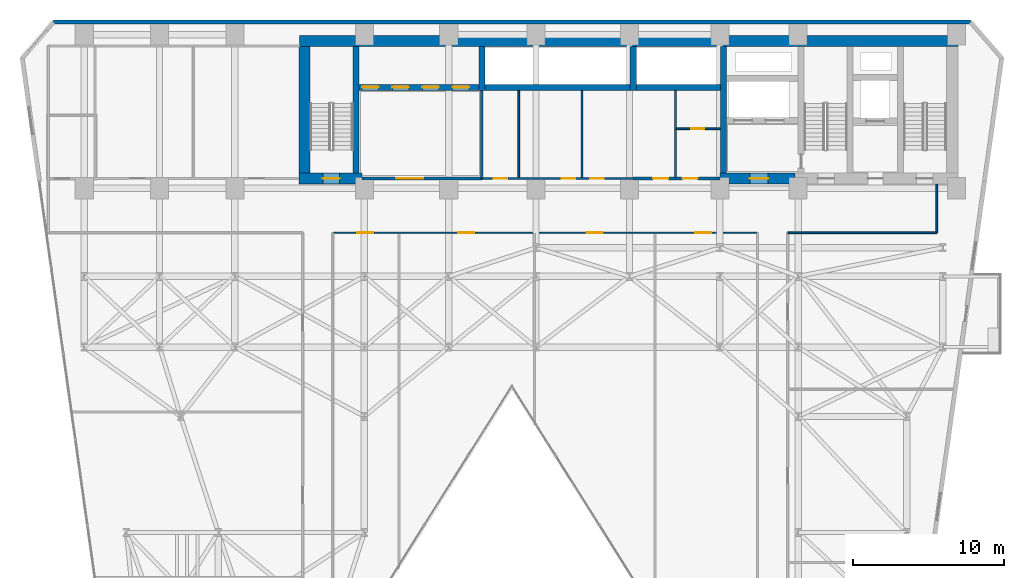
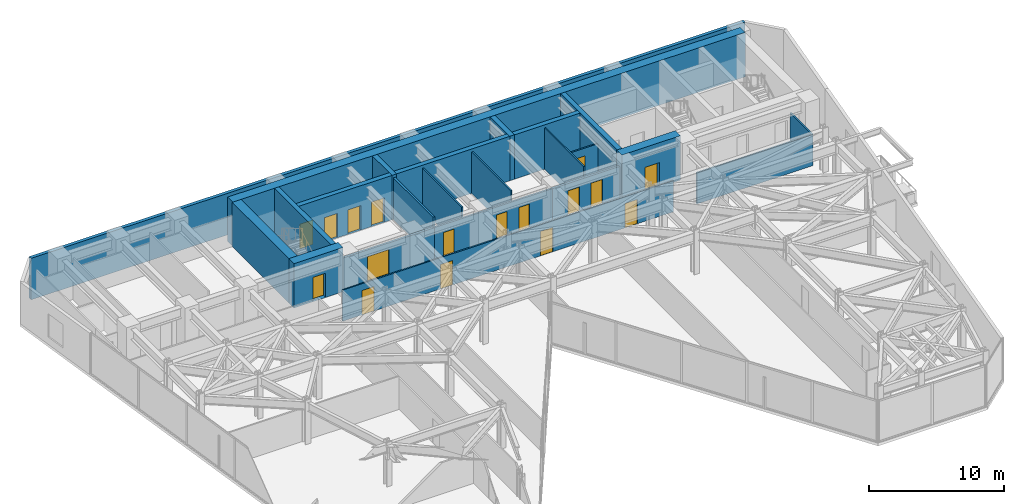
# One storey, part 20 of 24: 23 walls, 17 doors, 17 openings.
"""IFC4 building model written with IfcOpenShell, lengths in metres."""

from ifc_helpers import new_model, si_unit, direction, frame, frame_2d, origin, place, context, subcontext, project, spatial, rectangle, extrude, material, layer, layer_set, type_object, element, fill, save


model = new_model("IFC4")

# Units and contexts
model_context = context("Model", 3, precision=1e-05, world=origin(), true_north=direction((0.0, 1.0)))
body_context = subcontext(model_context, "Body", "Model", "MODEL_VIEW")
ifc_project = project(units=[si_unit("LENGTHUNIT", "METRE"), si_unit("AREAUNIT", "SQUARE_METRE"), si_unit("VOLUMEUNIT", "CUBIC_METRE"), si_unit("PLANEANGLEUNIT", "RADIAN"), si_unit("MASSUNIT", "GRAM", prefix="KILO")], contexts=[model_context])

# Site, building, storey
site_placement = place(None, origin())
site = spatial("IfcSite", under=ifc_project, at=site_placement, CompositionType="ELEMENT")
building_placement = place(site_placement, origin())
building = spatial("IfcBuilding", under=site, at=building_placement, Name="Kravanh Interchange Tower", CompositionType="ELEMENT")
storey_placement = place(building_placement, frame((0.0, 0.0, 45.5)))
storey = spatial("IfcBuildingStorey", under=building, at=storey_placement, Name="L10", CompositionType="ELEMENT", Elevation=45.5)

# Wall
ifc_material_1 = material(Name="Double Acoustic Gypsum Board and Mineral Wool")
ifc_layer_1 = layer(ifc_material_1, 0.1201171875)
ifc_layer_set_1 = layer_set([ifc_layer_1], Name="Acoustic Office Drywall Partition 120mm")
wall_type_1 = type_object("IfcWallType", Name="Acoustic Office Drywall Partition 120mm", PredefinedType="PARTITIONING", material=ifc_layer_set_1)
wall_1_placement = place(storey_placement, frame((47.85009765625, 38.068115234375, 0.0), z_axis=(0.0, 0.0, 1.0), x_axis=(0.0, 1.0, 0.0)))
element("IfcWall", 1, at=wall_1_placement, inside=storey, type_object=wall_type_1, Name="L10 Interior Partition 2", PredefinedType="PARTITIONING", context=body_context, shape_type="SweptSolid", body=[
    extrude(rectangle(XDim=5.77392578125, YDim=0.1201171875, at=frame_2d((2.886962890625, 0.0))), origin(), (0.0, 0.0, 1.0), 3.739990234375),
])

# Wall, opening, door
wall_2_placement = place(storey_placement, frame((47.91796875, 41.300048828125, 0.0), z_axis=(0.0, 0.0, 1.0), x_axis=(1.0, 0.0, 0.0)))
wall_2 = element("IfcWall", 2, at=wall_2_placement, inside=storey, type_object=wall_type_1, Name="L10 Interior Partition 3", PredefinedType="PARTITIONING", context=body_context, shape_type="SweptSolid", body=[
    extrude(rectangle(XDim=2.924072265625, YDim=0.1201171875, at=frame_2d((1.4619140625, 0.0))), origin(), (0.0, 0.0, 1.0), 2.81298828125),
])
opening_1_placement = place(wall_2_placement, frame((0.9912109375, 0.0, 0.0)))
opening_1 = element("IfcOpeningElement", 3, at=opening_1_placement, cuts=wall_2, Name="Opening D-85", PredefinedType="OPENING", context=body_context, shape_type="SweptSolid", body=[
    extrude(rectangle(XDim=0.85009765625, YDim=2.10009765625, at=frame_2d((0.425048828125, 1.050048828125))), frame((0.0, 0.070068359375, 0.0), z_axis=(0.0, -1.0, 0.0), x_axis=(1.0, 0.0, 0.0)), (0.0, 0.0, 1.0), 0.14013671875),
])
ifc_material_2 = material(Name="Engineered Teak Veneer Timber", Category="wood")
door_type_1 = type_object("IfcDoorType", Name="En-Suite Timber Door 850x2100", OperationType="NOTDEFINED", PredefinedType="DOOR", material=ifc_material_2)
door_1_placement = place(opening_1_placement, origin())
door_1 = element("IfcDoor", 4, at=door_1_placement, inside=storey, type_object=door_type_1, Name="L10 Core Supply Inner Door", OperationType="SINGLE_SWING_RIGHT", OverallHeight=2.10009765625, OverallWidth=0.85009765625, PredefinedType="DOOR", context=body_context, shape_type="SweptSolid", body=[
    extrude(rectangle(XDim=0.85009765625, YDim=2.10009765625, at=frame_2d((0.425048828125, 1.050048828125))), frame((0.0, 0.02490234375, 0.0), z_axis=(0.0, -1.0, 0.0), x_axis=(1.0, 0.0, 0.0)), (0.0, 0.0, 1.0), 0.050048828125),
])
fill(opening_1, door_1)

# Walls
for number, where, z_axis, x_axis, name in (
    (5, (37.449951171875, 38.068115234375, 0.0), (0.0, 0.0, 1.0), (0.0, 1.0, 0.0), "L10 Interior Partition 7"),
    (6, (41.64990234375, 38.068115234375, 0.0), (0.0, 0.0, 1.0), (0.0, 1.0, 0.0), "L10 Interior Partition 8"),
):
    element("IfcWall", number, at=place(storey_placement, frame(where, z_axis=z_axis, x_axis=x_axis)), inside=storey, type_object=wall_type_1, Name=name, PredefinedType="PARTITIONING", context=body_context, shape_type="SweptSolid", body=[
        extrude(rectangle(XDim=5.77392578125, YDim=0.1201171875, at=frame_2d((2.886962890625, 0.0))), origin(), (0.0, 0.0, 1.0), 3.739990234375),
    ])

# Wall, openings, doors
wall_3_placement = place(storey_placement, frame((25.10009765625, 34.39990234375, 0.0), z_axis=(0.0, 0.0, 1.0), x_axis=(1.0, 0.0, 0.0)))
wall_3 = element("IfcWall", 7, at=wall_3_placement, inside=storey, type_object=wall_type_1, Name="L10 Interior Partition 16", PredefinedType="PARTITIONING", context=body_context, shape_type="SweptSolid", body=[
    extrude(rectangle(XDim=28.199951171875, YDim=0.1201171875, at=frame_2d((14.10009765625, 0.0))), origin(), (0.0, 0.0, 1.0), 2.81298828125),
])
opening_2_placement = place(wall_3_placement, frame((1.63427734375, 0.0, 0.0)))
opening_2 = element("IfcOpeningElement", 8, at=opening_2_placement, cuts=wall_3, Name="Opening D-105", PredefinedType="OPENING", context=body_context, shape_type="SweptSolid", body=[
    extrude(rectangle(XDim=1.050048828125, YDim=2.199951171875, at=frame_2d((0.52490234375, 1.10009765625))), frame((0.0, 0.070068359375, 0.0), z_axis=(0.0, -1.0, 0.0), x_axis=(1.0, 0.0, 0.0)), (0.0, 0.0, 1.0), 0.14013671875),
])
opening_3_placement = place(wall_3_placement, frame((8.3349609375, 0.0, 0.0)))
opening_3 = element("IfcOpeningElement", 9, at=opening_3_placement, cuts=wall_3, Name="Opening D-105", PredefinedType="OPENING", context=body_context, shape_type="SweptSolid", body=[
    extrude(rectangle(XDim=1.050048828125, YDim=2.199951171875, at=frame_2d((0.52490234375, 1.10009765625))), frame((0.0, 0.070068359375, 0.0), z_axis=(0.0, -1.0, 0.0), x_axis=(1.0, 0.0, 0.0)), (0.0, 0.0, 1.0), 0.14013671875),
])
opening_4_placement = place(wall_3_placement, frame((16.875, 0.0, 0.0)))
opening_4 = element("IfcOpeningElement", 10, at=opening_4_placement, cuts=wall_3, Name="Opening D-105", PredefinedType="OPENING", context=body_context, shape_type="SweptSolid", body=[
    extrude(rectangle(XDim=1.050048828125, YDim=2.199951171875, at=frame_2d((0.52490234375, 1.10009765625))), frame((0.0, 0.070068359375, 0.0), z_axis=(0.0, -1.0, 0.0), x_axis=(1.0, 0.0, 0.0)), (0.0, 0.0, 1.0), 0.14013671875),
])
opening_5_placement = place(wall_3_placement, frame((24.072998046875, 0.0, 0.0)))
opening_5 = element("IfcOpeningElement", 11, at=opening_5_placement, cuts=wall_3, Name="Opening D-105", PredefinedType="OPENING", context=body_context, shape_type="SweptSolid", body=[
    extrude(rectangle(XDim=1.050048828125, YDim=2.199951171875, at=frame_2d((0.52490234375, 1.10009765625))), frame((0.0, 0.070068359375, 0.0), z_axis=(0.0, -1.0, 0.0), x_axis=(1.0, 0.0, 0.0)), (0.0, 0.0, 1.0), 0.14013671875),
])
ifc_material_3 = material(Name="Acoustic Glazed Oak and Aluminium", Category="aluminium")
door_type_2 = type_object("IfcDoorType", Name="Office Workplace Door 1050x2200", OperationType="NOTDEFINED", PredefinedType="DOOR", material=ifc_material_3)
door_2_placement = place(opening_2_placement, origin())
door_2 = element("IfcDoor", 12, at=door_2_placement, inside=storey, type_object=door_type_2, Name="L10 Central Collaboration Lounge Door", OperationType="SINGLE_SWING_LEFT", OverallHeight=2.199951171875, OverallWidth=1.050048828125, PredefinedType="DOOR", context=body_context, shape_type="SweptSolid", body=[
    extrude(rectangle(XDim=1.050048828125, YDim=2.199951171875, at=frame_2d((0.52490234375, 1.10009765625))), frame((0.0, 0.02490234375, 0.0), z_axis=(0.0, -1.0, 0.0), x_axis=(1.0, 0.0, 0.0)), (0.0, 0.0, 1.0), 0.050048828125),
])
fill(opening_2, door_2)
door_3_placement = place(opening_3_placement, origin())
door_3 = element("IfcDoor", 13, at=door_3_placement, inside=storey, type_object=door_type_2, Name="L10 Team Briefing Meeting Door", OperationType="SINGLE_SWING_RIGHT", OverallHeight=2.199951171875, OverallWidth=1.050048828125, PredefinedType="DOOR", context=body_context, shape_type="SweptSolid", body=[
    extrude(rectangle(XDim=1.050048828125, YDim=2.199951171875, at=frame_2d((0.52490234375, 1.10009765625))), frame((0.0, 0.02490234375, 0.0), z_axis=(0.0, -1.0, 0.0), x_axis=(1.0, 0.0, 0.0)), (0.0, 0.0, 1.0), 0.050048828125),
])
fill(opening_3, door_3)
door_4_placement = place(opening_4_placement, origin())
door_4 = element("IfcDoor", 14, at=door_4_placement, inside=storey, type_object=door_type_2, Name="L10 Tea Pantry Kitchenette Door", OperationType="SINGLE_SWING_LEFT", OverallHeight=2.199951171875, OverallWidth=1.050048828125, PredefinedType="DOOR", context=body_context, shape_type="SweptSolid", body=[
    extrude(rectangle(XDim=1.050048828125, YDim=2.199951171875, at=frame_2d((0.52490234375, 1.10009765625))), frame((0.0, 0.02490234375, 0.0), z_axis=(0.0, -1.0, 0.0), x_axis=(1.0, 0.0, 0.0)), (0.0, 0.0, 1.0), 0.050048828125),
])
fill(opening_4, door_4)
door_5_placement = place(opening_5_placement, origin())
door_5 = element("IfcDoor", 15, at=door_5_placement, inside=storey, type_object=door_type_2, Name="L10 Operations Office Door", OperationType="SINGLE_SWING_RIGHT", OverallHeight=2.199951171875, OverallWidth=1.050048828125, PredefinedType="DOOR", context=body_context, shape_type="SweptSolid", body=[
    extrude(rectangle(XDim=1.050048828125, YDim=2.199951171875, at=frame_2d((0.52490234375, 1.10009765625))), frame((0.0, 0.02490234375, 0.0), z_axis=(0.0, -1.0, 0.0), x_axis=(1.0, 0.0, 0.0)), (0.0, 0.0, 1.0), 0.050048828125),
])
fill(opening_5, door_5)

# Walls
wall_4_placement = place(storey_placement, frame((55.300048828125, 34.39990234375, 0.0), z_axis=(0.0, 0.0, 1.0), x_axis=(1.0, 0.0, 0.0)))
element("IfcWall", 16, at=wall_4_placement, inside=storey, type_object=wall_type_1, Name="L10 Interior Partition 17", PredefinedType="PARTITIONING", context=body_context, shape_type="SweptSolid", body=[
    extrude(rectangle(XDim=9.89990234375, YDim=0.1201171875, at=frame_2d((4.949951171875, 0.0))), origin(), (0.0, 0.0, 1.0), 2.81298828125),
])
wall_5_placement = place(storey_placement, frame((65.199951171875, 34.39990234375, 0.0), z_axis=(0.0, 0.0, 1.0), x_axis=(0.0, 1.0, 0.0)))
element("IfcWall", 17, at=wall_5_placement, inside=storey, type_object=wall_type_1, Name="L10 Interior Partition 19", PredefinedType="PARTITIONING", context=body_context, shape_type="SweptSolid", body=[
    extrude(rectangle(XDim=3.217041015625, YDim=0.1201171875, at=frame_2d((1.6083984375, 0.0))), origin(), (0.0, 0.0, 1.0), 2.81298828125),
])
ifc_material_4 = material(Name="Concrete C80/95", Category="concrete")
ifc_layer_2 = layer(ifc_material_4, 0.39990234375)
ifc_layer_set_2 = layer_set([ifc_layer_2], Name="Core Shear Wall Concrete C80/95 400mm")
wall_type_2 = type_object("IfcWallType", Name="Core Shear Wall Concrete C80/95 400mm", PredefinedType="SHEAR", material=ifc_layer_set_2)
wall_6_placement = place(storey_placement, frame((51.050048828125, 38.375, 0.0), z_axis=(0.0, 0.0, 1.0), x_axis=(0.0, 1.0, 0.0)))
element("IfcWall", 18, at=wall_6_placement, inside=storey, type_object=wall_type_2, Name="L10 Firefighting Lobby West Wall", PredefinedType="SHEAR", context=body_context, shape_type="SweptSolid", body=[
    extrude(rectangle(XDim=8.375, YDim=0.39990234375, at=frame_2d((4.1875, 0.0))), origin(), (0.0, 0.0, 1.0), 4.0),
])
wall_7_placement = place(storey_placement, frame((45.25, 44.050048828125, 0.0), z_axis=(0.0, 0.0, 1.0), x_axis=(1.0, 0.0, 0.0)))
element("IfcWall", 19, at=wall_7_placement, inside=storey, type_object=wall_type_2, Name="L10 High-Rise Lift Shaft South Wall", PredefinedType="SHEAR", context=body_context, shape_type="SweptSolid", body=[
    extrude(rectangle(XDim=5.60009765625, YDim=0.39990234375, at=frame_2d((2.800048828125, 0.0))), origin(), (0.0, 0.0, 1.0), 4.0),
])
wall_8_placement = place(storey_placement, frame((45.050048828125, 43.85009765625, 0.0), z_axis=(0.0, 0.0, 1.0), x_axis=(0.0, 1.0, 0.0)))
element("IfcWall", 20, at=wall_8_placement, inside=storey, type_object=wall_type_2, Name="L10 High-Rise Lift Shaft West Wall", PredefinedType="SHEAR", context=body_context, shape_type="SweptSolid", body=[
    extrude(rectangle(XDim=2.89990234375, YDim=0.39990234375, at=frame_2d((1.449951171875, 0.0))), origin(), (0.0, 0.0, 1.0), 4.0),
])
wall_9_placement = place(storey_placement, frame((35.199951171875, 44.050048828125, 0.0), z_axis=(0.0, 0.0, 1.0), x_axis=(1.0, 0.0, 0.0)))
element("IfcWall", 21, at=wall_9_placement, inside=storey, type_object=wall_type_2, Name="L10 Mid-Rise Lift Shaft South Wall", PredefinedType="SHEAR", context=body_context, shape_type="SweptSolid", body=[
    extrude(rectangle(XDim=9.650146484375, YDim=0.39990234375, at=frame_2d((4.8251953125, 0.0))), origin(), (0.0, 0.0, 1.0), 4.0),
])
wall_10_placement = place(storey_placement, frame((35.0, 43.85009765625, 0.0), z_axis=(0.0, 0.0, 1.0), x_axis=(0.0, 1.0, 0.0)))
element("IfcWall", 22, at=wall_10_placement, inside=storey, type_object=wall_type_2, Name="L10 Mid-Rise Lift Shaft West Wall", PredefinedType="SHEAR", context=body_context, shape_type="SweptSolid", body=[
    extrude(rectangle(XDim=2.89990234375, YDim=0.39990234375, at=frame_2d((1.449951171875, 0.0))), origin(), (0.0, 0.0, 1.0), 4.0),
])

# Wall, openings, doors
wall_11_placement = place(storey_placement, frame((26.85009765625, 44.050048828125, 0.0), z_axis=(0.0, 0.0, 1.0), x_axis=(1.0, 0.0, 0.0)))
wall_11 = element("IfcWall", 23, at=wall_11_placement, inside=storey, type_object=wall_type_2, Name="L10 Low-Rise Lift Shaft South Wall", PredefinedType="SHEAR", context=body_context, shape_type="SweptSolid", body=[
    extrude(rectangle(XDim=7.949951171875, YDim=0.39990234375, at=frame_2d((3.97509765625, 0.0))), origin(), (0.0, 0.0, 1.0), 4.0),
])
opening_6_placement = place(wall_11_placement, frame((0.199951171875, 0.0, 0.0)))
opening_6 = element("IfcOpeningElement", 24, at=opening_6_placement, cuts=wall_11, Name="Opening LD01", PredefinedType="OPENING", context=body_context, shape_type="SweptSolid", body=[
    extrude(rectangle(XDim=1.10009765625, YDim=2.199951171875, at=frame_2d((0.550048828125, 1.10009765625))), frame((0.0, 0.2099609375, 0.0), z_axis=(0.0, -1.0, 0.0), x_axis=(1.0, 0.0, 0.0)), (0.0, 0.0, 1.0), 0.419921875),
])
opening_7_placement = place(wall_11_placement, frame((2.199951171875, 0.0, 0.0)))
opening_7 = element("IfcOpeningElement", 25, at=opening_7_placement, cuts=wall_11, Name="Opening LD01", PredefinedType="OPENING", context=body_context, shape_type="SweptSolid", body=[
    extrude(rectangle(XDim=1.10009765625, YDim=2.199951171875, at=frame_2d((0.550048828125, 1.10009765625))), frame((0.0, 0.2099609375, 0.0), z_axis=(0.0, -1.0, 0.0), x_axis=(1.0, 0.0, 0.0)), (0.0, 0.0, 1.0), 0.419921875),
])
opening_8_placement = place(wall_11_placement, frame((4.199951171875, 0.0, 0.0)))
opening_8 = element("IfcOpeningElement", 26, at=opening_8_placement, cuts=wall_11, Name="Opening LD01", PredefinedType="OPENING", context=body_context, shape_type="SweptSolid", body=[
    extrude(rectangle(XDim=1.10009765625, YDim=2.199951171875, at=frame_2d((0.550048828125, 1.10009765625))), frame((0.0, 0.2099609375, 0.0), z_axis=(0.0, -1.0, 0.0), x_axis=(1.0, 0.0, 0.0)), (0.0, 0.0, 1.0), 0.419921875),
])
opening_9_placement = place(wall_11_placement, frame((6.199951171875, 0.0, 0.0)))
opening_9 = element("IfcOpeningElement", 27, at=opening_9_placement, cuts=wall_11, Name="Opening LD01", PredefinedType="OPENING", context=body_context, shape_type="SweptSolid", body=[
    extrude(rectangle(XDim=1.10009765625, YDim=2.199951171875, at=frame_2d((0.550048828125, 1.10009765625))), frame((0.0, 0.2099609375, 0.0), z_axis=(0.0, -1.0, 0.0), x_axis=(1.0, 0.0, 0.0)), (0.0, 0.0, 1.0), 0.419921875),
])
ifc_material_5 = material(Name="Stainless Steel 304", Category="steel")
door_type_3 = type_object("IfcDoorType", Name="Passenger Lift Sliding Landing Door 1100x2200", OperationType="DOUBLE_DOOR_SLIDING", PredefinedType="DOOR", material=ifc_material_5)
door_6_placement = place(opening_6_placement, origin())
door_6 = element("IfcDoor", 28, at=door_6_placement, inside=storey, type_object=door_type_3, Name="L10 Lift LP-L1 Landing Door", OperationType="DOUBLE_DOOR_SLIDING", OverallHeight=2.199951171875, OverallWidth=1.10009765625, PredefinedType="DOOR", context=body_context, shape_type="SweptSolid", body=[
    extrude(rectangle(XDim=1.10009765625, YDim=2.199951171875, at=frame_2d((0.550048828125, 1.10009765625))), frame((0.0, 0.02490234375, 0.0), z_axis=(0.0, -1.0, 0.0), x_axis=(1.0, 0.0, 0.0)), (0.0, 0.0, 1.0), 0.050048828125),
])
fill(opening_6, door_6)
door_7_placement = place(opening_7_placement, origin())
door_7 = element("IfcDoor", 29, at=door_7_placement, inside=storey, type_object=door_type_3, Name="L10 Lift LP-L2 Landing Door", OperationType="DOUBLE_DOOR_SLIDING", OverallHeight=2.199951171875, OverallWidth=1.10009765625, PredefinedType="DOOR", context=body_context, shape_type="SweptSolid", body=[
    extrude(rectangle(XDim=1.10009765625, YDim=2.199951171875, at=frame_2d((0.550048828125, 1.10009765625))), frame((0.0, 0.02490234375, 0.0), z_axis=(0.0, -1.0, 0.0), x_axis=(1.0, 0.0, 0.0)), (0.0, 0.0, 1.0), 0.050048828125),
])
fill(opening_7, door_7)
door_8_placement = place(opening_8_placement, origin())
door_8 = element("IfcDoor", 30, at=door_8_placement, inside=storey, type_object=door_type_3, Name="L10 Lift LP-L3 Landing Door", OperationType="DOUBLE_DOOR_SLIDING", OverallHeight=2.199951171875, OverallWidth=1.10009765625, PredefinedType="DOOR", context=body_context, shape_type="SweptSolid", body=[
    extrude(rectangle(XDim=1.10009765625, YDim=2.199951171875, at=frame_2d((0.550048828125, 1.10009765625))), frame((0.0, 0.02490234375, 0.0), z_axis=(0.0, -1.0, 0.0), x_axis=(1.0, 0.0, 0.0)), (0.0, 0.0, 1.0), 0.050048828125),
])
fill(opening_8, door_8)
door_9_placement = place(opening_9_placement, origin())
door_9 = element("IfcDoor", 31, at=door_9_placement, inside=storey, type_object=door_type_3, Name="L10 Lift LP-L4 Landing Door", OperationType="DOUBLE_DOOR_SLIDING", OverallHeight=2.199951171875, OverallWidth=1.10009765625, PredefinedType="DOOR", context=body_context, shape_type="SweptSolid", body=[
    extrude(rectangle(XDim=1.10009765625, YDim=2.199951171875, at=frame_2d((0.550048828125, 1.10009765625))), frame((0.0, 0.02490234375, 0.0), z_axis=(0.0, -1.0, 0.0), x_axis=(1.0, 0.0, 0.0)), (0.0, 0.0, 1.0), 0.050048828125),
])
fill(opening_9, door_9)

# Walls
wall_12_placement = place(storey_placement, frame((26.64990234375, 38.375, 0.0), z_axis=(0.0, 0.0, 1.0), x_axis=(0.0, 1.0, 0.0)))
element("IfcWall", 32, at=wall_12_placement, inside=storey, type_object=wall_type_2, Name="L10 Stair ST3 East Shear Wall", PredefinedType="SHEAR", context=body_context, shape_type="SweptSolid", body=[
    extrude(rectangle(XDim=8.375, YDim=0.39990234375, at=frame_2d((4.1875, 0.0))), origin(), (0.0, 0.0, 1.0), 4.0),
])
ifc_material_6 = material(Name="Concrete C80/95", Category="concrete")
ifc_layer_3 = layer(ifc_material_6, 0.75)
ifc_layer_set_3 = layer_set([ifc_layer_3], Name="Core Shear Wall Concrete C80/95 750mm")
wall_type_3 = type_object("IfcWallType", Name="Core Shear Wall Concrete C80/95 750mm", PredefinedType="SHEAR", material=ifc_layer_set_3)
wall_13_placement = place(storey_placement, frame((22.89990234375, 47.125, 0.0), z_axis=(0.0, 0.0, 1.0), x_axis=(1.0, 0.0, 0.0)))
element("IfcWall", 33, at=wall_13_placement, inside=storey, type_object=wall_type_3, Name="L10 North Core Shear Wall", PredefinedType="SHEAR", context=body_context, shape_type="SweptSolid", body=[
    extrude(rectangle(XDim=43.7001953125, YDim=0.75, at=frame_2d((21.85009765625, 0.0))), origin(), (0.0, 0.0, 1.0), 4.0),
])

# Wall, opening, door
wall_14_placement = place(storey_placement, frame((50.800048828125, 38.0, 0.0), z_axis=(0.0, 0.0, 1.0), x_axis=(1.0, 0.0, 0.0)))
wall_14 = element("IfcWall", 34, at=wall_14_placement, inside=storey, type_object=wall_type_3, Name="L10 Firefighting Lobby South Shear Wall", PredefinedType="SHEAR", context=body_context, shape_type="SweptSolid", body=[
    extrude(rectangle(XDim=5.0, YDim=0.75, at=frame_2d((2.5, 0.0))), origin(), (0.0, 0.0, 1.0), 4.0),
])
opening_10_placement = place(wall_14_placement, frame((2.0, 0.0, 0.0)))
opening_10 = element("IfcOpeningElement", 35, at=opening_10_placement, cuts=wall_14, Name="Opening D-FSAE-120", PredefinedType="OPENING", context=body_context, shape_type="SweptSolid", body=[
    extrude(rectangle(XDim=1.199951171875, YDim=2.199951171875, at=frame_2d((0.60009765625, 1.10009765625))), frame((0.0, 0.385009765625, 0.0), z_axis=(0.0, -1.0, 0.0), x_axis=(1.0, 0.0, 0.0)), (0.0, 0.0, 1.0), 0.77001953125),
])
ifc_material_7 = material(Name="Structural Steel S355", Category="steel")
door_type_4 = type_object("IfcDoorType", Name="Fire-Rated Refuge and FSAE Door 1200x2200", OperationType="NOTDEFINED", PredefinedType="DOOR", material=ifc_material_7)
door_10_placement = place(opening_10_placement, origin())
door_10 = element("IfcDoor", 36, at=door_10_placement, inside=storey, type_object=door_type_4, Name="L10 Firefighting Lobby Corridor Door", OperationType="SINGLE_SWING_RIGHT", OverallHeight=2.199951171875, OverallWidth=1.199951171875, PredefinedType="DOOR", context=body_context, shape_type="SweptSolid", body=[
    extrude(rectangle(XDim=1.199951171875, YDim=2.199951171875, at=frame_2d((0.60009765625, 1.10009765625))), frame((0.0, 0.02490234375, 0.0), z_axis=(0.0, -1.0, 0.0), x_axis=(1.0, 0.0, 0.0)), (0.0, 0.0, 1.0), 0.050048828125),
])
fill(opening_10, door_10)

wall_15_placement = place(storey_placement, frame((22.85009765625, 38.0, 0.0), z_axis=(0.0, 0.0, 1.0), x_axis=(1.0, 0.0, 0.0)))
wall_15 = element("IfcWall", 37, at=wall_15_placement, inside=storey, type_object=wall_type_3, Name="L10 Stair ST3 South Shear Wall", PredefinedType="SHEAR", context=body_context, shape_type="SweptSolid", body=[
    extrude(rectangle(XDim=4.199951171875, YDim=0.75, at=frame_2d((2.10009765625, 0.0))), origin(), (0.0, 0.0, 1.0), 4.0),
])
opening_11_placement = place(wall_15_placement, frame((1.60009765625, 0.0, 0.0)))
opening_11 = element("IfcOpeningElement", 38, at=opening_11_placement, cuts=wall_15, Name="Opening D-STAIR-110", PredefinedType="OPENING", context=body_context, shape_type="SweptSolid", body=[
    extrude(rectangle(XDim=1.10009765625, YDim=2.199951171875, at=frame_2d((0.550048828125, 1.10009765625))), frame((0.0, 0.385009765625, 0.0), z_axis=(0.0, -1.0, 0.0), x_axis=(1.0, 0.0, 0.0)), (0.0, 0.0, 1.0), 0.77001953125),
])
ifc_material_8 = material(Name="Structural Steel S355", Category="steel")
door_type_5 = type_object("IfcDoorType", Name="Fire-Rated Exit Stair Door 1100x2200", OperationType="NOTDEFINED", PredefinedType="DOOR", material=ifc_material_8)
door_11_placement = place(opening_11_placement, origin())
door_11 = element("IfcDoor", 39, at=door_11_placement, inside=storey, type_object=door_type_5, Name="L10 Exit Stair ST3 Door", OperationType="SINGLE_SWING_RIGHT", OverallHeight=2.199951171875, OverallWidth=1.10009765625, PredefinedType="DOOR", context=body_context, shape_type="SweptSolid", body=[
    extrude(rectangle(XDim=1.10009765625, YDim=2.199951171875, at=frame_2d((0.550048828125, 1.10009765625))), frame((0.0, 0.02490234375, 0.0), z_axis=(0.0, -1.0, 0.0), x_axis=(1.0, 0.0, 0.0)), (0.0, 0.0, 1.0), 0.050048828125),
])
fill(opening_11, door_11)

# Walls
wall_16_placement = place(storey_placement, frame((23.22509765625, 38.375, 0.0), z_axis=(0.0, 0.0, 1.0), x_axis=(0.0, 1.0, 0.0)))
element("IfcWall", 40, at=wall_16_placement, inside=storey, type_object=wall_type_3, Name="L10 Stair ST3 West Shear Wall", PredefinedType="SHEAR", context=body_context, shape_type="SweptSolid", body=[
    extrude(rectangle(XDim=8.375, YDim=0.75, at=frame_2d((4.1875, 0.0))), origin(), (0.0, 0.0, 1.0), 4.0),
])
ifc_material_9 = material(Name="Insulated Precast Concrete C40/50 with Bronze Cladding", Category="concrete")
ifc_layer_4 = layer(ifc_material_9, 0.280029296875)
ifc_layer_set_4 = layer_set([ifc_layer_4], Name="Exterior Insulated Concrete C40/50 Bronze Spandrel Wall 280mm")
wall_type_4 = type_object("IfcWallType", Name="Exterior Insulated Concrete C40/50 Bronze Spandrel Wall 280mm", PredefinedType="STANDARD", material=ifc_layer_set_4)
wall_17_placement = place(storey_placement, frame((6.5546875, 48.3798828125, 0.0), z_axis=(0.0, 0.0, 1.0), x_axis=(1.0, 0.0, 0.0)))
element("IfcWall", 41, at=wall_17_placement, inside=storey, type_object=wall_type_4, Name="L10 Exterior Wall 3", PredefinedType="STANDARD", context=body_context, shape_type="SweptSolid", body=[
    extrude(rectangle(XDim=60.890625, YDim=0.280029296875, at=frame_2d((30.4453125, 0.0))), origin(), (0.0, 0.0, 1.0), 3.739990234375),
])

# Wall, openings, doors
ifc_material_10 = material(Name="Autoclaved Aerated Concrete C30/37 Blockwork", Category="masonry")
ifc_layer_5 = layer(ifc_material_10, 0.179931640625)
ifc_layer_set_5 = layer_set([ifc_layer_5], Name="Fire-Rated Lobby and Corridor Wall Concrete C30/37 180mm")
wall_type_5 = type_object("IfcWallType", Name="Fire-Rated Lobby and Corridor Wall Concrete C30/37 180mm", PredefinedType="STANDARD", material=ifc_layer_set_5)
wall_18_placement = place(storey_placement, frame((45.050048828125, 38.0, 0.0), z_axis=(0.0, 0.0, 1.0), x_axis=(1.0, 0.0, 0.0)))
wall_18 = element("IfcWall", 42, at=wall_18_placement, inside=storey, type_object=wall_type_5, Name="L10 Core South Enclosure 1", PredefinedType="STANDARD", context=body_context, shape_type="SweptSolid", body=[
    extrude(rectangle(XDim=5.75, YDim=0.179931640625, at=frame_2d((2.875, 0.0))), origin(), (0.0, 0.0, 1.0), 2.81298828125),
])
opening_12_placement = place(wall_18_placement, frame((1.324951171875, 0.0, 0.0)))
opening_12 = element("IfcOpeningElement", 43, at=opening_12_placement, cuts=wall_18, Name="Opening D-HOTEL-100", PredefinedType="OPENING", context=body_context, shape_type="SweptSolid", body=[
    extrude(rectangle(XDim=1.0, YDim=2.14990234375, at=frame_2d((0.5, 1.074951171875))), frame((0.0, 0.10009765625, 0.0), z_axis=(0.0, -1.0, 0.0), x_axis=(1.0, 0.0, 0.0)), (0.0, 0.0, 1.0), 0.199951171875),
])
opening_13_placement = place(wall_18_placement, frame((3.27490234375, 0.0, 0.0)))
opening_13 = element("IfcOpeningElement", 44, at=opening_13_placement, cuts=wall_18, Name="Opening D-HOTEL-100", PredefinedType="OPENING", context=body_context, shape_type="SweptSolid", body=[
    extrude(rectangle(XDim=1.0, YDim=2.14990234375, at=frame_2d((0.5, 1.074951171875))), frame((0.0, 0.10009765625, 0.0), z_axis=(0.0, -1.0, 0.0), x_axis=(1.0, 0.0, 0.0)), (0.0, 0.0, 1.0), 0.199951171875),
])
ifc_material_11 = material(Name="Fire-Rated Solid Timber Leaf", Category="wood")
door_type_6 = type_object("IfcDoorType", Name="Fire-Rated Suite Entrance Door 1000x2150", OperationType="NOTDEFINED", PredefinedType="DOOR", material=ifc_material_11)
door_12_placement = place(opening_12_placement, origin())
door_12 = element("IfcDoor", 45, at=door_12_placement, inside=storey, type_object=door_type_6, Name="L10 Core Metering Door", OperationType="SINGLE_SWING_RIGHT", OverallHeight=2.14990234375, OverallWidth=1.0, PredefinedType="DOOR", context=body_context, shape_type="SweptSolid", body=[
    extrude(rectangle(XDim=1.0, YDim=2.14990234375, at=frame_2d((0.5, 1.074951171875))), frame((0.0, 0.02490234375, 0.0), z_axis=(0.0, -1.0, 0.0), x_axis=(1.0, 0.0, 0.0)), (0.0, 0.0, 1.0), 0.050048828125),
])
fill(opening_12, door_12)
door_13_placement = place(opening_13_placement, origin())
door_13 = element("IfcDoor", 46, at=door_13_placement, inside=storey, type_object=door_type_6, Name="L10 Core Copy Room Door", OperationType="SINGLE_SWING_LEFT", OverallHeight=2.14990234375, OverallWidth=1.0, PredefinedType="DOOR", context=body_context, shape_type="SweptSolid", body=[
    extrude(rectangle(XDim=1.0, YDim=2.14990234375, at=frame_2d((0.5, 1.074951171875))), frame((0.0, 0.02490234375, 0.0), z_axis=(0.0, -1.0, 0.0), x_axis=(1.0, 0.0, 0.0)), (0.0, 0.0, 1.0), 0.050048828125),
])
fill(opening_13, door_13)

# Wall
wall_19_placement = place(storey_placement, frame((35.0, 38.0, 0.0), z_axis=(0.0, 0.0, 1.0), x_axis=(0.0, 1.0, 0.0)))
element("IfcWall", 47, at=wall_19_placement, inside=storey, type_object=wall_type_5, Name="L10 Low-Rise Lobby East Wall 4", PredefinedType="STANDARD", context=body_context, shape_type="SweptSolid", body=[
    extrude(rectangle(XDim=5.85009765625, YDim=0.179931640625, at=frame_2d((2.925048828125, 0.0))), origin(), (0.0, 0.0, 1.0), 3.739990234375),
])

# Wall, opening, door
wall_20_placement = place(storey_placement, frame((27.050048828125, 38.0, 0.0), z_axis=(0.0, 0.0, 1.0), x_axis=(1.0, 0.0, 0.0)))
wall_20 = element("IfcWall", 48, at=wall_20_placement, inside=storey, type_object=wall_type_5, Name="L10 Low-Rise Lobby South Wall 5", PredefinedType="STANDARD", context=body_context, shape_type="SweptSolid", body=[
    extrude(rectangle(XDim=7.949951171875, YDim=0.179931640625, at=frame_2d((3.97509765625, 0.0))), origin(), (0.0, 0.0, 1.0), 2.81298828125),
])
opening_14_placement = place(wall_20_placement, frame((2.25, 0.0, 0.0)))
opening_14 = element("IfcOpeningElement", 49, at=opening_14_placement, cuts=wall_20, Name="Opening DBL-180", PredefinedType="OPENING", context=body_context, shape_type="SweptSolid", body=[
    extrude(rectangle(XDim=1.800048828125, YDim=2.199951171875, at=frame_2d((0.89990234375, 1.10009765625))), frame((0.0, 0.10009765625, 0.0), z_axis=(0.0, -1.0, 0.0), x_axis=(1.0, 0.0, 0.0)), (0.0, 0.0, 1.0), 0.199951171875),
])
ifc_material_12 = material(Name="Structural Steel S355", Category="steel")
door_type_7 = type_object("IfcDoorType", Name="Lift Lobby Double Fire Door 1800x2200", OperationType="DOUBLE_DOOR_SINGLE_SWING", PredefinedType="DOOR", material=ifc_material_12)
door_14_placement = place(opening_14_placement, origin())
door_14 = element("IfcDoor", 50, at=door_14_placement, inside=storey, type_object=door_type_7, Name="L10 Low-Rise Lift Lobby Door", OperationType="DOUBLE_DOOR_SINGLE_SWING", OverallHeight=2.199951171875, OverallWidth=1.800048828125, PredefinedType="DOOR", context=body_context, shape_type="SweptSolid", body=[
    extrude(rectangle(XDim=1.800048828125, YDim=2.199951171875, at=frame_2d((0.89990234375, 1.10009765625))), frame((0.0, 0.02490234375, 0.0), z_axis=(0.0, -1.0, 0.0), x_axis=(1.0, 0.0, 0.0)), (0.0, 0.0, 1.0), 0.050048828125),
])
fill(opening_14, door_14)

# Wall, openings, doors
ifc_material_13 = material(Name="Twin Stud Acoustic Gypsum Board Wall")
ifc_layer_6 = layer(ifc_material_13, 0.14990234375)
ifc_layer_set_6 = layer_set([ifc_layer_6], Name="Medium-Duty Acoustic Partition 150mm")
wall_type_6 = type_object("IfcWallType", Name="Medium-Duty Acoustic Partition 150mm", PredefinedType="PARTITIONING", material=ifc_layer_set_6)
wall_21_placement = place(storey_placement, frame((35.0, 38.0, 0.0), z_axis=(0.0, 0.0, 1.0), x_axis=(1.0, 0.0, 0.0)))
wall_21 = element("IfcWall", 51, at=wall_21_placement, inside=storey, type_object=wall_type_6, Name="L10 Core Support South Wall 6", PredefinedType="PARTITIONING", context=body_context, shape_type="SweptSolid", body=[
    extrude(rectangle(XDim=10.050048828125, YDim=0.14990234375, at=frame_2d((5.02490234375, 0.0))), origin(), (0.0, 0.0, 1.0), 2.81298828125),
])
opening_15_placement = place(wall_21_placement, frame((0.78466796875, 0.0, 0.0)))
opening_15 = element("IfcOpeningElement", 52, at=opening_15_placement, cuts=wall_21, Name="Opening D-90", PredefinedType="OPENING", context=body_context, shape_type="SweptSolid", body=[
    extrude(rectangle(XDim=0.89990234375, YDim=2.10009765625, at=frame_2d((0.449951171875, 1.050048828125))), frame((0.0, 0.0849609375, 0.0), z_axis=(0.0, -1.0, 0.0), x_axis=(1.0, 0.0, 0.0)), (0.0, 0.0, 1.0), 0.169921875),
])
opening_16_placement = place(wall_21_placement, frame((5.300048828125, 0.0, 0.0)))
opening_16 = element("IfcOpeningElement", 53, at=opening_16_placement, cuts=wall_21, Name="Opening D-90", PredefinedType="OPENING", context=body_context, shape_type="SweptSolid", body=[
    extrude(rectangle(XDim=0.89990234375, YDim=2.10009765625, at=frame_2d((0.449951171875, 1.050048828125))), frame((0.0, 0.0849609375, 0.0), z_axis=(0.0, -1.0, 0.0), x_axis=(1.0, 0.0, 0.0)), (0.0, 0.0, 1.0), 0.169921875),
])
opening_17_placement = place(wall_21_placement, frame((7.199951171875, 0.0, 0.0)))
opening_17 = element("IfcOpeningElement", 54, at=opening_17_placement, cuts=wall_21, Name="Opening D-90", PredefinedType="OPENING", context=body_context, shape_type="SweptSolid", body=[
    extrude(rectangle(XDim=0.89990234375, YDim=2.10009765625, at=frame_2d((0.449951171875, 1.050048828125))), frame((0.0, 0.0849609375, 0.0), z_axis=(0.0, -1.0, 0.0), x_axis=(1.0, 0.0, 0.0)), (0.0, 0.0, 1.0), 0.169921875),
])
ifc_material_14 = material(Name="Painted Solid-Core Timber", Category="wood")
door_type_8 = type_object("IfcDoorType", Name="Service Room Door 900x2100", OperationType="NOTDEFINED", PredefinedType="DOOR", material=ifc_material_14)
door_15_placement = place(opening_15_placement, origin())
door_15 = element("IfcDoor", 55, at=door_15_placement, inside=storey, type_object=door_type_8, Name="L10 IDF Closet Door", OperationType="SINGLE_SWING_LEFT", OverallHeight=2.10009765625, OverallWidth=0.89990234375, PredefinedType="DOOR", context=body_context, shape_type="SweptSolid", body=[
    extrude(rectangle(XDim=0.89990234375, YDim=2.10009765625, at=frame_2d((0.449951171875, 1.050048828125))), frame((0.0, 0.02490234375, 0.0), z_axis=(0.0, -1.0, 0.0), x_axis=(1.0, 0.0, 0.0)), (0.0, 0.0, 1.0), 0.050048828125),
])
fill(opening_15, door_15)
door_16_placement = place(opening_16_placement, origin())
door_16 = element("IfcDoor", 56, at=door_16_placement, inside=storey, type_object=door_type_8, Name="L10 AHU Fan Room Door", OperationType="SINGLE_SWING_RIGHT", OverallHeight=2.10009765625, OverallWidth=0.89990234375, PredefinedType="DOOR", context=body_context, shape_type="SweptSolid", body=[
    extrude(rectangle(XDim=0.89990234375, YDim=2.10009765625, at=frame_2d((0.449951171875, 1.050048828125))), frame((0.0, 0.02490234375, 0.0), z_axis=(0.0, -1.0, 0.0), x_axis=(1.0, 0.0, 0.0)), (0.0, 0.0, 1.0), 0.050048828125),
])
fill(opening_16, door_16)
door_17_placement = place(opening_17_placement, origin())
door_17 = element("IfcDoor", 57, at=door_17_placement, inside=storey, type_object=door_type_8, Name="L10 Archive Closet Door", OperationType="SINGLE_SWING_LEFT", OverallHeight=2.10009765625, OverallWidth=0.89990234375, PredefinedType="DOOR", context=body_context, shape_type="SweptSolid", body=[
    extrude(rectangle(XDim=0.89990234375, YDim=2.10009765625, at=frame_2d((0.449951171875, 1.050048828125))), frame((0.0, 0.02490234375, 0.0), z_axis=(0.0, -1.0, 0.0), x_axis=(1.0, 0.0, 0.0)), (0.0, 0.0, 1.0), 0.050048828125),
])
fill(opening_17, door_17)

save(model, "model.ifc")
